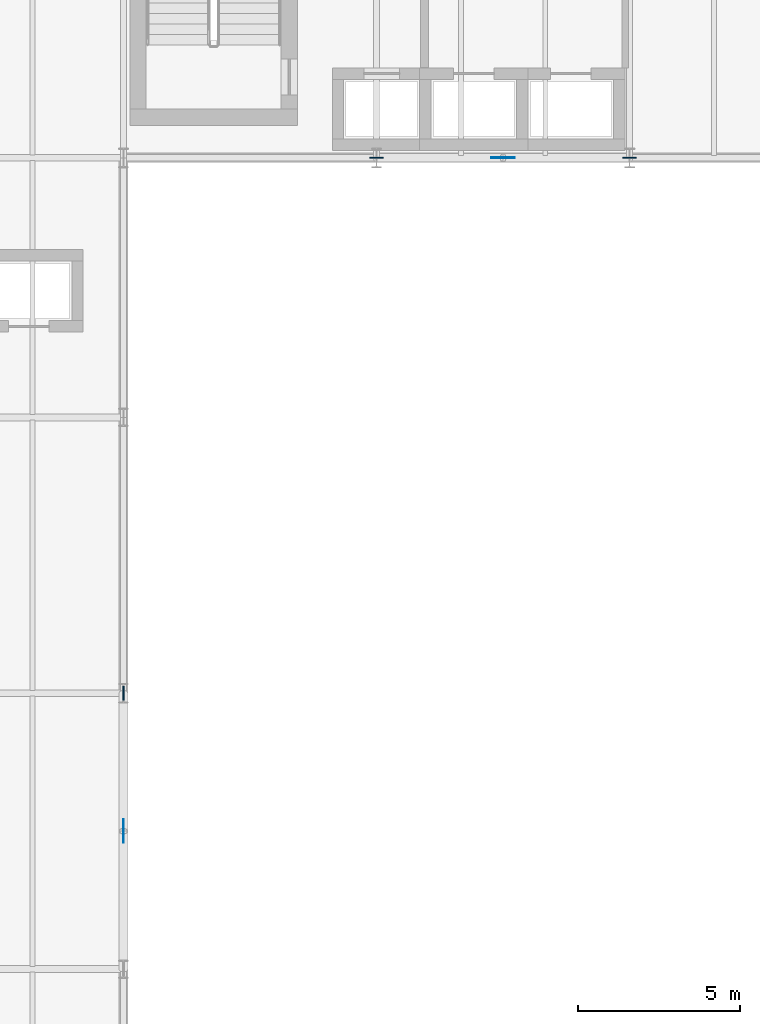
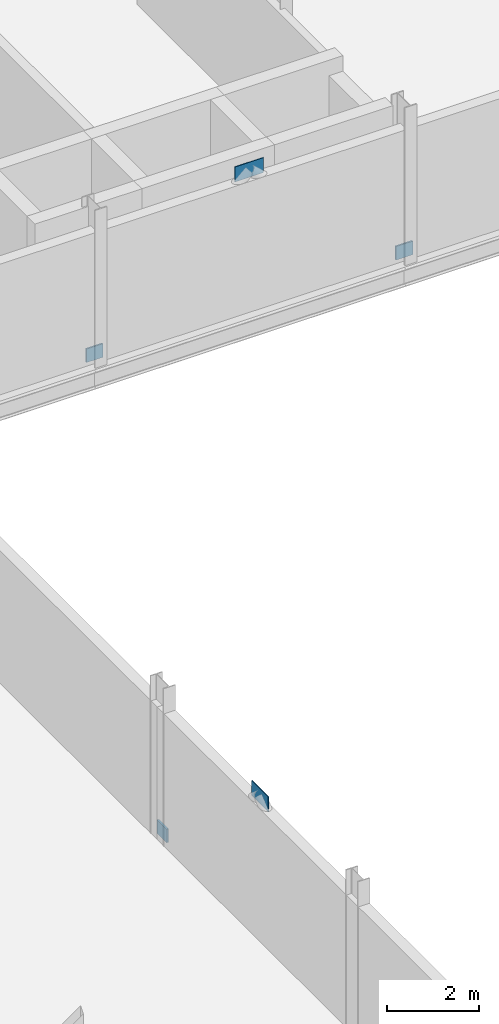
# One storey, part 28 of 45: 5 plates.
"""IFC4 building model written with IfcOpenShell, lengths in metres."""

from ifc_helpers import new_model, si_unit, direction, frame, origin, origin_2d, place, context, subcontext, project, spatial, rectangle, extrude, material, layer, layer_set, type_object, element, save


model = new_model("IFC4")

# Units and contexts
model_context = context("Model", 3, precision=1e-05, world=origin(), true_north=direction((0.0, 1.0)))
body_context = subcontext(model_context, "Body", "Model", "MODEL_VIEW")
ifc_project = project(units=[si_unit("LENGTHUNIT", "METRE"), si_unit("AREAUNIT", "SQUARE_METRE"), si_unit("VOLUMEUNIT", "CUBIC_METRE"), si_unit("PLANEANGLEUNIT", "RADIAN"), si_unit("MASSUNIT", "GRAM", prefix="KILO")], contexts=[model_context])

# Site, building, storey
site_placement = place(None, origin())
site = spatial("IfcSite", under=ifc_project, at=site_placement, CompositionType="ELEMENT")
building_placement = place(site_placement, origin())
building = spatial("IfcBuilding", under=site, at=building_placement, Name="Sefraquen Railside Congress Hotel", CompositionType="ELEMENT")
storey_placement = place(building_placement, frame((0.0, 0.0, 20.39990234375)))
storey = spatial("IfcBuildingStorey", under=building, at=storey_placement, Name="L04", CompositionType="ELEMENT", Elevation=20.39990234375)

# Plates
ifc_material = material(Name="Steel S355J2", Category="steel")
ifc_layer_1 = layer(ifc_material, 0.02001953125)
ifc_layer_set_1 = layer_set([ifc_layer_1], Name="Steel S355J2")
plate_type_1 = type_object("IfcPlateType", Name="TP-GUS-01", PredefinedType="SHEET", material=ifc_layer_set_1)
for number, where, z_axis, x_axis, name in (
    (1, (36.89990234375, 96.0, 3.490234375), (0.0, 0.0, 1.0), (1.0, 0.0, 0.0), "Chevron braced-frame apex gusset plate BF1 L04"),
    (2, (25.199951171875, 75.25, 3.490234375), (0.0, 0.0, 1.0), (0.0, 1.0, 0.0), "Chevron braced-frame apex gusset plate BF2 L04"),
):
    element("IfcPlate", number, at=place(storey_placement, frame(where, z_axis=z_axis, x_axis=x_axis)), inside=storey, type_object=plate_type_1, Name=name, PredefinedType="SHEET", context=body_context, shape_type="SweptSolid", body=[
        extrude(rectangle(XDim=0.719970703125, YDim=0.02001953125, at=origin_2d()), origin(), (0.0, 0.0, 1.0), 0.39990234375),
    ])
ifc_layer_2 = layer(ifc_material, 0.0400390625)
ifc_layer_set_2 = layer_set([ifc_layer_2], Name="Steel S355J2")
plate_type_2 = type_object("IfcPlateType", Name="TP-GUS-02", PredefinedType="SHEET", material=ifc_layer_set_2)
for number, where, z_axis, x_axis, name in (
    (3, (33.0, 96.0, 0.0), (0.0, 0.0, 1.0), (1.0, 0.0, 0.0), "Chevron braced-frame base gusset plate BF1-L L04"),
    (4, (40.800048828125, 96.0, 0.0), (0.0, 0.0, 1.0), (1.0, 0.0, 0.0), "Chevron braced-frame base gusset plate BF1-R L04"),
    (5, (25.199951171875, 79.5, 0.0), (0.0, 0.0, 1.0), (0.0, 1.0, 0.0), "Chevron braced-frame base gusset plate BF2-R L04"),
):
    element("IfcPlate", number, at=place(storey_placement, frame(where, z_axis=z_axis, x_axis=x_axis)), inside=storey, type_object=plate_type_2, Name=name, PredefinedType="SHEET", context=body_context, shape_type="SweptSolid", body=[
        extrude(rectangle(XDim=0.419921875, YDim=0.0400390625, at=origin_2d()), origin(), (0.0, 0.0, 1.0), 0.360107421875),
    ])

save(model, "model.ifc")
